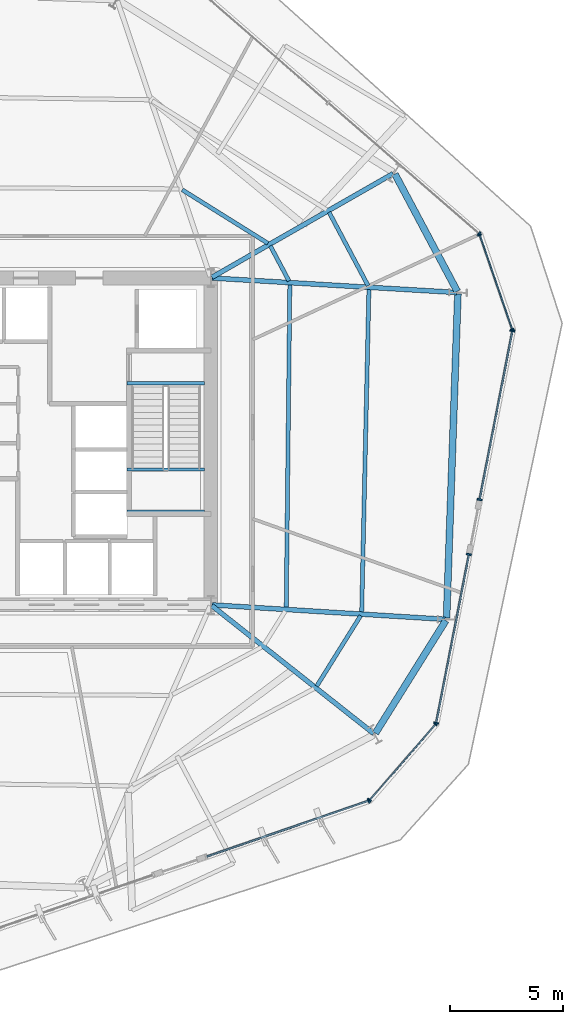
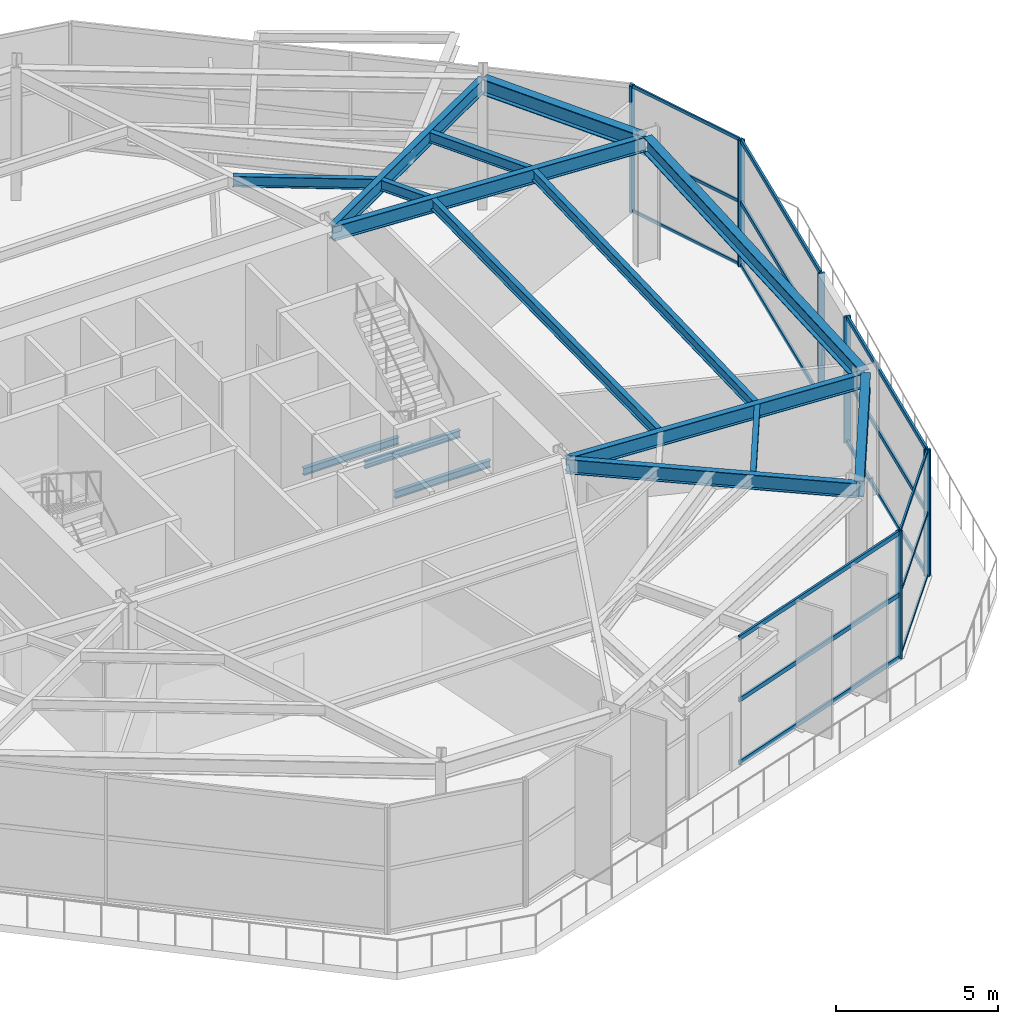
# One storey, part 5 of 16: 25 members, 16 beams, 6 elements without a shape of their own.
"""IFC4 building model written with IfcOpenShell, lengths in metres."""

from ifc_helpers import new_model, si_unit, direction, frame, origin, origin_2d, place, context, subcontext, project, spatial, rectangle, i_section, extrude, material, layer, layer_set, material_profile, profile_set, type_object, element, aggregate, save


model = new_model("IFC4")

# Units and contexts
model_context = context("Model", 3, precision=1e-05, world=origin(), true_north=direction((0.0, 1.0)))
body_context = subcontext(model_context, "Body", "Model", "MODEL_VIEW")
ifc_project = project(units=[si_unit("LENGTHUNIT", "METRE"), si_unit("AREAUNIT", "SQUARE_METRE"), si_unit("VOLUMEUNIT", "CUBIC_METRE"), si_unit("PLANEANGLEUNIT", "RADIAN"), si_unit("MASSUNIT", "GRAM", prefix="KILO")], contexts=[model_context])

# Site, building, storey
site_placement = place(None, origin())
site = spatial("IfcSite", under=ifc_project, at=site_placement, CompositionType="ELEMENT")
building_placement = place(site_placement, origin())
building = spatial("IfcBuilding", under=site, at=building_placement, Name="Kranzbogen Civic Tower", CompositionType="ELEMENT")
storey_placement = place(building_placement, frame((0.0, 0.0, 97.39990234375)))
storey = spatial("IfcBuildingStorey", under=building, at=storey_placement, Name="L23", CompositionType="ELEMENT", Elevation=97.39990234375)

# Curtain wall, members
ifc_material_1 = material(Name="Pale Anodised Aluminium", Category="aluminium")
ifc_layer_1 = layer(ifc_material_1, 0.219970703125, Name="Pale Anodised Aluminium")
ifc_layer_set_1 = layer_set([ifc_layer_1], Name="Pale Anodised Aluminium")
curtain_wall_type_1 = type_object("IfcCurtainWallType", Name="Chamfer Facet Stick Curtain Wall System CW-06", PredefinedType="USERDEFINED", material=ifc_layer_set_1)
curtain_wall_1_placement = place(storey_placement, origin())
curtain_wall_1 = element("IfcCurtainWall", 1, at=curtain_wall_1_placement, inside=storey, type_object=curtain_wall_type_1, Name="L23 curtain wall CW-L23-C5", ObjectType="STICK CURTAIN WALL", PredefinedType="USERDEFINED")
ifc_material_profile_1 = material_profile(ifc_material_1, rectangle(XDim=0.06005859375, YDim=0.159912109375, at=origin_2d()), Name="ALU-M 60x160")
ifc_profile_set_1 = profile_set([ifc_material_profile_1], Name="Pale Anodised Aluminium")
member_type_1 = type_object("IfcMemberType", Name="Curtain Wall Mullion ALU-M 60x160", PredefinedType="MULLION", material=ifc_profile_set_1)
member_1_placement = place(storey_placement, frame((39.8095703125, 9.20361328125, 0.0), z_axis=(0.0, 0.0, 1.0), x_axis=(0.656062411201, 0.754706640099, 0.0)))
member_1 = element("IfcMember", 2, at=member_1_placement, type_object=member_type_1, Name="CW-06 mullion 1", PredefinedType="MULLION", context=body_context, shape_type="SweptSolid", body=[
    extrude(rectangle(XDim=0.06005859375, YDim=0.159912109375, at=origin_2d()), origin(), (0.0, 0.0, 1.0), 4.760009765625),
])
member_2_placement = place(storey_placement, frame((42.703369140625, 12.532470703125, 0.0), z_axis=(0.0, 0.0, 1.0), x_axis=(0.656062411201, 0.754706640099, 0.0)))
member_2 = element("IfcMember", 3, at=member_2_placement, type_object=member_type_1, Name="CW-06 mullion 2", PredefinedType="MULLION", context=body_context, shape_type="SweptSolid", body=[
    extrude(rectangle(XDim=0.06005859375, YDim=0.159912109375, at=origin_2d()), origin(), (0.0, 0.0, 1.0), 4.760009765625),
])

curtain_wall_2_placement = place(storey_placement, origin())
curtain_wall_2 = element("IfcCurtainWall", 4, at=curtain_wall_2_placement, inside=storey, type_object=curtain_wall_type_1, Name="L23 curtain wall CW-L23-C6", ObjectType="STICK CURTAIN WALL", PredefinedType="USERDEFINED")
member_3_placement = place(storey_placement, frame((46.085205078125, 29.92724609375, 0.0), z_axis=(0.0, 0.0, 1.0), x_axis=(-0.325604710902, 0.945505987415, 0.0)))
member_3 = element("IfcMember", 5, at=member_3_placement, type_object=member_type_1, Name="CW-06 mullion 1", PredefinedType="MULLION", context=body_context, shape_type="SweptSolid", body=[
    extrude(rectangle(XDim=0.06005859375, YDim=0.159912109375, at=origin_2d()), origin(), (0.0, 0.0, 1.0), 4.760009765625),
])
member_4_placement = place(storey_placement, frame((44.648681640625, 34.0986328125, 0.0), z_axis=(0.0, 0.0, 1.0), x_axis=(-0.325604710902, 0.945505987415, 0.0)))
member_4 = element("IfcMember", 6, at=member_4_placement, type_object=member_type_1, Name="CW-06 mullion 2", PredefinedType="MULLION", context=body_context, shape_type="SweptSolid", body=[
    extrude(rectangle(XDim=0.06005859375, YDim=0.159912109375, at=origin_2d()), origin(), (0.0, 0.0, 1.0), 4.760009765625),
])

# Curtain wall, member
ifc_layer_2 = layer(ifc_material_1, 0.219970703125, Name="Pale Anodised Aluminium")
ifc_layer_set_2 = layer_set([ifc_layer_2], Name="Pale Anodised Aluminium")
curtain_wall_type_2 = type_object("IfcCurtainWallType", Name="Zone 2 Stick Curtain Wall System CW-03", PredefinedType="USERDEFINED", material=ifc_layer_set_2)
curtain_wall_3_placement = place(storey_placement, origin())
curtain_wall_3 = element("IfcCurtainWall", 7, at=curtain_wall_3_placement, inside=storey, type_object=curtain_wall_type_2, Name="L23 curtain wall CW-L23-F1", ObjectType="STICK CURTAIN WALL", PredefinedType="USERDEFINED")
ifc_material_profile_2 = material_profile(ifc_material_1, rectangle(XDim=0.074951171875, YDim=0.219970703125, at=origin_2d()), Name="ALU-M 75x220")
ifc_profile_set_2 = profile_set([ifc_material_profile_2], Name="Pale Anodised Aluminium")
member_type_2 = type_object("IfcMemberType", Name="Curtain Wall Mullion ALU-M 75x220", PredefinedType="MULLION", material=ifc_profile_set_2)
member_5_placement = place(storey_placement, frame((44.616455078125, 34.146728515625, 0.0), z_axis=(0.0, 0.0, 1.0), x_axis=(-0.754735883979, 0.656028768755, 0.0)))
member_5 = element("IfcMember", 8, at=member_5_placement, type_object=member_type_2, Name="CW-03 mullion 1", PredefinedType="MULLION", context=body_context, shape_type="SweptSolid", body=[
    extrude(rectangle(XDim=0.074951171875, YDim=0.219970703125, at=origin_2d()), origin(), (0.0, 0.0, 1.0), 4.760009765625),
])
aggregate(curtain_wall_3, [member_5])

curtain_wall_4_placement = place(storey_placement, origin())
curtain_wall_4 = element("IfcCurtainWall", 9, at=curtain_wall_4_placement, inside=storey, type_object=curtain_wall_type_2, Name="L23 curtain wall CW-L23-F5-S2", ObjectType="STICK CURTAIN WALL", PredefinedType="USERDEFINED")
member_6_placement = place(storey_placement, frame((39.76171875, 9.171142578125, 0.0), z_axis=(0.0, 0.0, 1.0), x_axis=(0.945506521479, 0.325603160059, 0.0)))
member_6 = element("IfcMember", 10, at=member_6_placement, type_object=member_type_2, Name="CW-03 mullion 2", PredefinedType="MULLION", context=body_context, shape_type="SweptSolid", body=[
    extrude(rectangle(XDim=0.074951171875, YDim=0.219970703125, at=origin_2d()), origin(), (0.0, 0.0, 1.0), 4.760009765625),
])

# Curtain wall, members
curtain_wall_5_placement = place(storey_placement, origin())
curtain_wall_5 = element("IfcCurtainWall", 11, at=curtain_wall_5_placement, inside=storey, type_object=curtain_wall_type_2, Name="L23 curtain wall CW-L23-F6-S1", ObjectType="STICK CURTAIN WALL", PredefinedType="USERDEFINED")
member_7_placement = place(storey_placement, frame((42.728759765625, 12.58447265625, 0.0), z_axis=(0.0, 0.0, 1.0), x_axis=(0.190848623157, 0.981619479757, 0.0)))
member_7 = element("IfcMember", 12, at=member_7_placement, type_object=member_type_2, Name="CW-03 mullion 1", PredefinedType="MULLION", context=body_context, shape_type="SweptSolid", body=[
    extrude(rectangle(XDim=0.074951171875, YDim=0.219970703125, at=origin_2d()), origin(), (0.0, 0.0, 1.0), 4.760009765625),
])
member_8_placement = place(storey_placement, frame((44.17431640625, 20.01953125, 0.0), z_axis=(0.0, 0.0, 1.0), x_axis=(0.190848623157, 0.981619479757, 0.0)))
member_8 = element("IfcMember", 13, at=member_8_placement, type_object=member_type_2, Name="CW-03 mullion 2", PredefinedType="MULLION", context=body_context, shape_type="SweptSolid", body=[
    extrude(rectangle(XDim=0.074951171875, YDim=0.219970703125, at=origin_2d()), origin(), (0.0, 0.0, 1.0), 4.760009765625),
])

curtain_wall_6_placement = place(storey_placement, origin())
curtain_wall_6 = element("IfcCurtainWall", 14, at=curtain_wall_6_placement, inside=storey, type_object=curtain_wall_type_2, Name="L23 curtain wall CW-L23-F6-S2", ObjectType="STICK CURTAIN WALL", PredefinedType="USERDEFINED")
member_9_placement = place(storey_placement, frame((44.643798828125, 22.4345703125, 0.0), z_axis=(0.0, 0.0, 1.0), x_axis=(0.190848623157, 0.981619479757, 0.0)))
member_9 = element("IfcMember", 15, at=member_9_placement, type_object=member_type_2, Name="CW-03 mullion 1", PredefinedType="MULLION", context=body_context, shape_type="SweptSolid", body=[
    extrude(rectangle(XDim=0.074951171875, YDim=0.219970703125, at=origin_2d()), origin(), (0.0, 0.0, 1.0), 4.760009765625),
])
member_10_placement = place(storey_placement, frame((46.08935546875, 29.86962890625, 0.0), z_axis=(0.0, 0.0, 1.0), x_axis=(0.190848623157, 0.981619479757, 0.0)))
member_10 = element("IfcMember", 16, at=member_10_placement, type_object=member_type_2, Name="CW-03 mullion 2", PredefinedType="MULLION", context=body_context, shape_type="SweptSolid", body=[
    extrude(rectangle(XDim=0.074951171875, YDim=0.219970703125, at=origin_2d()), origin(), (0.0, 0.0, 1.0), 4.760009765625),
])

# Member
ifc_material_profile_3 = material_profile(ifc_material_1, rectangle(XDim=0.06005859375, YDim=0.1201171875, at=origin_2d()), Name="ALU-T 60x120")
ifc_profile_set_3 = profile_set([ifc_material_profile_3], Name="Pale Anodised Aluminium")
member_type_3 = type_object("IfcMemberType", Name="Curtain Wall Transom ALU-T 60x120", PredefinedType="USERDEFINED", material=ifc_profile_set_3)
member_11_placement = place(storey_placement, frame((39.829345703125, 9.226318359375, 0.030029296875), z_axis=(0.656057835583, 0.754710617634, 0.0), x_axis=(-0.754710617634, 0.656057835583, 0.0)))
member_11 = element("IfcMember", 17, at=member_11_placement, type_object=member_type_3, Name="CW-06 transom 1.1", ObjectType="TRANSOM", PredefinedType="USERDEFINED", context=body_context, shape_type="SweptSolid", body=[
    extrude(rectangle(XDim=0.06005859375, YDim=0.1201171875, at=origin_2d()), origin(), (0.0, 0.0, 1.0), 4.3505859375),
])

member_12_placement = place(storey_placement, frame((39.829345703125, 9.226318359375, 2.400146484375), z_axis=(0.656057835583, 0.754710617634, 0.0), x_axis=(-0.754710617634, 0.656057835583, 0.0)))
member_12 = element("IfcMember", 18, at=member_12_placement, type_object=member_type_3, Name="CW-06 transom 1.2", ObjectType="TRANSOM", PredefinedType="USERDEFINED", context=body_context, shape_type="SweptSolid", body=[
    extrude(rectangle(XDim=0.06005859375, YDim=0.1201171875, at=origin_2d()), origin(), (0.0, 0.0, 1.0), 4.3505859375),
])

member_13_placement = place(storey_placement, frame((39.829345703125, 9.226318359375, 4.72998046875), z_axis=(0.656057835583, 0.754710617634, 0.0), x_axis=(-0.754710617634, 0.656057835583, 0.0)))
member_13 = element("IfcMember", 19, at=member_13_placement, type_object=member_type_3, Name="CW-06 transom 1.3", ObjectType="TRANSOM", PredefinedType="USERDEFINED", context=body_context, shape_type="SweptSolid", body=[
    extrude(rectangle(XDim=0.06005859375, YDim=0.1201171875, at=origin_2d()), origin(), (0.0, 0.0, 1.0), 4.3505859375),
])

aggregate(curtain_wall_1, [member_1, member_2, member_11, member_12, member_13])

member_14_placement = place(storey_placement, frame((46.075439453125, 29.955810546875, 0.030029296875), z_axis=(-0.325620654122, 0.945500496885, 0.0), x_axis=(-0.945500496885, -0.325620654122, 0.0)))
member_14 = element("IfcMember", 20, at=member_14_placement, type_object=member_type_3, Name="CW-06 transom 1.1", ObjectType="TRANSOM", PredefinedType="USERDEFINED", context=body_context, shape_type="SweptSolid", body=[
    extrude(rectangle(XDim=0.06005859375, YDim=0.1201171875, at=origin_2d()), origin(), (0.0, 0.0, 1.0), 4.3515625),
])

member_15_placement = place(storey_placement, frame((46.075439453125, 29.955810546875, 2.400146484375), z_axis=(-0.325620654122, 0.945500496885, 0.0), x_axis=(-0.945500496885, -0.325620654122, 0.0)))
member_15 = element("IfcMember", 21, at=member_15_placement, type_object=member_type_3, Name="CW-06 transom 1.2", ObjectType="TRANSOM", PredefinedType="USERDEFINED", context=body_context, shape_type="SweptSolid", body=[
    extrude(rectangle(XDim=0.06005859375, YDim=0.1201171875, at=origin_2d()), origin(), (0.0, 0.0, 1.0), 4.3515625),
])

member_16_placement = place(storey_placement, frame((46.075439453125, 29.955810546875, 4.72998046875), z_axis=(-0.325620654122, 0.945500496885, 0.0), x_axis=(-0.945500496885, -0.325620654122, 0.0)))
member_16 = element("IfcMember", 22, at=member_16_placement, type_object=member_type_3, Name="CW-06 transom 1.3", ObjectType="TRANSOM", PredefinedType="USERDEFINED", context=body_context, shape_type="SweptSolid", body=[
    extrude(rectangle(XDim=0.06005859375, YDim=0.1201171875, at=origin_2d()), origin(), (0.0, 0.0, 1.0), 4.3515625),
])

aggregate(curtain_wall_2, [member_3, member_4, member_14, member_15, member_16])

ifc_material_profile_4 = material_profile(ifc_material_1, rectangle(XDim=0.074951171875, YDim=0.1650390625, at=origin_2d()), Name="ALU-T 75x165")
ifc_profile_set_4 = profile_set([ifc_material_profile_4], Name="Pale Anodised Aluminium")
member_type_4 = type_object("IfcMemberType", Name="Curtain Wall Transom ALU-T 75x165", PredefinedType="USERDEFINED", material=ifc_profile_set_4)
member_17_placement = place(storey_placement, frame((32.627685546875, 6.714599609375, 0.030029296875), z_axis=(0.945511683544, 0.325588169752, 0.0), x_axis=(-0.325588169752, 0.945511683544, 0.0)))
member_17 = element("IfcMember", 23, at=member_17_placement, type_object=member_type_4, Name="CW-03 transom 1.1", ObjectType="TRANSOM", PredefinedType="USERDEFINED", context=body_context, shape_type="SweptSolid", body=[
    extrude(rectangle(XDim=0.074951171875, YDim=0.1650390625, at=origin_2d()), origin(), (0.0, 0.0, 1.0), 7.514892578125),
])

member_18_placement = place(storey_placement, frame((32.627685546875, 6.714599609375, 2.400146484375), z_axis=(0.945511683544, 0.325588169752, 0.0), x_axis=(-0.325588169752, 0.945511683544, 0.0)))
member_18 = element("IfcMember", 24, at=member_18_placement, type_object=member_type_4, Name="CW-03 transom 1.2", ObjectType="TRANSOM", PredefinedType="USERDEFINED", context=body_context, shape_type="SweptSolid", body=[
    extrude(rectangle(XDim=0.074951171875, YDim=0.1650390625, at=origin_2d()), origin(), (0.0, 0.0, 1.0), 7.514892578125),
])

member_19_placement = place(storey_placement, frame((32.627685546875, 6.714599609375, 4.72998046875), z_axis=(0.945511683544, 0.325588169752, 0.0), x_axis=(-0.325588169752, 0.945511683544, 0.0)))
member_19 = element("IfcMember", 25, at=member_19_placement, type_object=member_type_4, Name="CW-03 transom 1.3", ObjectType="TRANSOM", PredefinedType="USERDEFINED", context=body_context, shape_type="SweptSolid", body=[
    extrude(rectangle(XDim=0.074951171875, YDim=0.1650390625, at=origin_2d()), origin(), (0.0, 0.0, 1.0), 7.514892578125),
])

aggregate(curtain_wall_4, [member_6, member_17, member_18, member_19])

member_20_placement = place(storey_placement, frame((42.734375, 12.614013671875, 0.030029296875), z_axis=(0.190852266109, 0.98161877148, 0.0), x_axis=(-0.98161877148, 0.190852266109, 0.0)))
member_20 = element("IfcMember", 26, at=member_20_placement, type_object=member_type_4, Name="CW-03 transom 1.1", ObjectType="TRANSOM", PredefinedType="USERDEFINED", context=body_context, shape_type="SweptSolid", body=[
    extrude(rectangle(XDim=0.074951171875, YDim=0.1650390625, at=origin_2d()), origin(), (0.0, 0.0, 1.0), 7.51416015625),
])

member_21_placement = place(storey_placement, frame((42.734375, 12.614013671875, 2.400146484375), z_axis=(0.190852266109, 0.98161877148, 0.0), x_axis=(-0.98161877148, 0.190852266109, 0.0)))
member_21 = element("IfcMember", 27, at=member_21_placement, type_object=member_type_4, Name="CW-03 transom 1.2", ObjectType="TRANSOM", PredefinedType="USERDEFINED", context=body_context, shape_type="SweptSolid", body=[
    extrude(rectangle(XDim=0.074951171875, YDim=0.1650390625, at=origin_2d()), origin(), (0.0, 0.0, 1.0), 7.51416015625),
])

member_22_placement = place(storey_placement, frame((42.734375, 12.614013671875, 4.72998046875), z_axis=(0.190852266109, 0.98161877148, 0.0), x_axis=(-0.98161877148, 0.190852266109, 0.0)))
member_22 = element("IfcMember", 28, at=member_22_placement, type_object=member_type_4, Name="CW-03 transom 1.3", ObjectType="TRANSOM", PredefinedType="USERDEFINED", context=body_context, shape_type="SweptSolid", body=[
    extrude(rectangle(XDim=0.074951171875, YDim=0.1650390625, at=origin_2d()), origin(), (0.0, 0.0, 1.0), 7.51416015625),
])

aggregate(curtain_wall_5, [member_7, member_8, member_20, member_21, member_22])

member_23_placement = place(storey_placement, frame((44.6494140625, 22.4638671875, 0.030029296875), z_axis=(0.190846179295, 0.981619954895, 0.0), x_axis=(-0.981619954895, 0.190846179295, 0.0)))
member_23 = element("IfcMember", 29, at=member_23_placement, type_object=member_type_4, Name="CW-03 transom 1.1", ObjectType="TRANSOM", PredefinedType="USERDEFINED", context=body_context, shape_type="SweptSolid", body=[
    extrude(rectangle(XDim=0.074951171875, YDim=0.1650390625, at=origin_2d()), origin(), (0.0, 0.0, 1.0), 7.514404296875),
])

member_24_placement = place(storey_placement, frame((44.6494140625, 22.4638671875, 2.400146484375), z_axis=(0.190846179295, 0.981619954895, 0.0), x_axis=(-0.981619954895, 0.190846179295, 0.0)))
member_24 = element("IfcMember", 30, at=member_24_placement, type_object=member_type_4, Name="CW-03 transom 1.2", ObjectType="TRANSOM", PredefinedType="USERDEFINED", context=body_context, shape_type="SweptSolid", body=[
    extrude(rectangle(XDim=0.074951171875, YDim=0.1650390625, at=origin_2d()), origin(), (0.0, 0.0, 1.0), 7.514404296875),
])

member_25_placement = place(storey_placement, frame((44.6494140625, 22.4638671875, 4.72998046875), z_axis=(0.190846179295, 0.981619954895, 0.0), x_axis=(-0.981619954895, 0.190846179295, 0.0)))
member_25 = element("IfcMember", 31, at=member_25_placement, type_object=member_type_4, Name="CW-03 transom 1.3", ObjectType="TRANSOM", PredefinedType="USERDEFINED", context=body_context, shape_type="SweptSolid", body=[
    extrude(rectangle(XDim=0.074951171875, YDim=0.1650390625, at=origin_2d()), origin(), (0.0, 0.0, 1.0), 7.514404296875),
])

aggregate(curtain_wall_6, [member_9, member_10, member_23, member_24, member_25])

# Beams
ifc_material_2 = material(Name="Steel S355", Category="steel")
ifc_material_profile_5 = material_profile(ifc_material_2, i_section(OverallWidth=0.300048828125, OverallDepth=0.60009765625, WebThickness=0.015380859375, FlangeThickness=0.030029296875, at=origin_2d()), Name="HEB 600")
ifc_profile_set_5 = profile_set([ifc_material_profile_5], Name="Steel S355")
beam_type_1 = type_object("IfcBeamType", Name="Perimeter Tube Spandrel Beam HEB 600", PredefinedType="SPANDREL", material=ifc_profile_set_5)
beam_1_placement = place(storey_placement, frame((40.054931640625, 12.14306640625, 4.460205078125), z_axis=(0.529863902903, 0.848082687242, 0.0), x_axis=(-0.848082687242, 0.529863902903, 0.0)))
element("IfcBeam", 32, at=beam_1_placement, inside=storey, type_object=beam_type_1, Name="L23 perimeter spandrel beam 05", PredefinedType="SPANDREL", context=body_context, shape_type="SweptSolid", body=[
    extrude(i_section(OverallWidth=0.300048828125, OverallDepth=0.60009765625, WebThickness=0.015380859375, FlangeThickness=0.030029296875, at=origin_2d()), origin(), (0.0, 0.0, 1.0), 5.850830078125),
])
beam_2_placement = place(storey_placement, frame((43.18896484375, 17.216064453125, 4.460205078125), z_axis=(0.034924229103, 0.999389963038, 0.0), x_axis=(-0.999389963038, 0.034924229103, 0.0)))
element("IfcBeam", 33, at=beam_2_placement, inside=storey, type_object=beam_type_1, Name="L23 perimeter spandrel beam 06", PredefinedType="SPANDREL", context=body_context, shape_type="SweptSolid", body=[
    extrude(i_section(OverallWidth=0.300048828125, OverallDepth=0.60009765625, WebThickness=0.015380859375, FlangeThickness=0.030029296875, at=origin_2d()), origin(), (0.0, 0.0, 1.0), 14.288818359375),
])
beam_3_placement = place(storey_placement, frame((43.662109375, 31.60888671875, 4.460205078125), z_axis=(-0.469565926668, 0.882897412224, 0.0), x_axis=(-0.882897412224, -0.469565926668, 0.0)))
element("IfcBeam", 34, at=beam_3_placement, inside=storey, type_object=beam_type_1, Name="L23 perimeter spandrel beam 07", PredefinedType="SPANDREL", context=body_context, shape_type="SweptSolid", body=[
    extrude(i_section(OverallWidth=0.300048828125, OverallDepth=0.60009765625, WebThickness=0.015380859375, FlangeThickness=0.030029296875, at=origin_2d()), origin(), (0.0, 0.0, 1.0), 5.852294921875),
])
ifc_material_profile_6 = material_profile(ifc_material_2, i_section(OverallWidth=0.2099609375, OverallDepth=0.550048828125, WebThickness=0.010986328125, FlangeThickness=0.01708984375, at=origin_2d()), Name="IPE 550")
ifc_profile_set_6 = profile_set([ifc_material_profile_6], Name="Steel S355")
beam_type_2 = type_object("IfcBeamType", Name="Radial Tower Floor Girder IPE 550", PredefinedType="BEAM", material=ifc_profile_set_6)
beam_4_placement = place(storey_placement, frame((39.97607421875, 12.12890625, 4.485107421875), z_axis=(-0.78457455683, 0.620034486763, 0.0), x_axis=(-0.620034486763, -0.78457455683, 0.0)))
element("IfcBeam", 35, at=beam_4_placement, inside=storey, type_object=beam_type_2, Name="L23 radial floor girder 05", PredefinedType="BEAM", context=body_context, shape_type="SweptSolid", body=[
    extrude(i_section(OverallWidth=0.2099609375, OverallDepth=0.550048828125, WebThickness=0.010986328125, FlangeThickness=0.01708984375, at=origin_2d()), origin(), (0.0, 0.0, 1.0), 9.086669921875),
])
beam_5_placement = place(storey_placement, frame((43.126953125, 17.159912109375, 4.485107421875), z_axis=(-0.998086872961, 0.061827130147, 0.0), x_axis=(-0.061827130147, -0.998086872961, 0.0)))
element("IfcBeam", 36, at=beam_5_placement, inside=storey, type_object=beam_type_2, Name="L23 radial floor girder 06", PredefinedType="BEAM", context=body_context, shape_type="SweptSolid", body=[
    extrude(i_section(OverallWidth=0.2099609375, OverallDepth=0.550048828125, WebThickness=0.010986328125, FlangeThickness=0.01708984375, at=origin_2d()), origin(), (0.0, 0.0, 1.0), 10.28662109375),
])
beam_6_placement = place(storey_placement, frame((43.6298828125, 31.56005859375, 4.485107421875), z_axis=(-0.998260925387, 0.058950189528, 0.0), x_axis=(-0.058950189528, -0.998260925387, 0.0)))
element("IfcBeam", 37, at=beam_6_placement, inside=storey, type_object=beam_type_2, Name="L23 radial floor girder 07", PredefinedType="BEAM", context=body_context, shape_type="SweptSolid", body=[
    extrude(i_section(OverallWidth=0.2099609375, OverallDepth=0.550048828125, WebThickness=0.010986328125, FlangeThickness=0.01708984375, at=origin_2d()), origin(), (0.0, 0.0, 1.0), 10.78857421875),
])
beam_7_placement = place(storey_placement, frame((40.833984375, 36.799072265625, 4.485107421875), z_axis=(-0.867868812182, -0.496793442833, 0.0), x_axis=(0.496793442833, -0.867868812182, 0.0)))
element("IfcBeam", 38, at=beam_7_placement, inside=storey, type_object=beam_type_2, Name="L23 radial floor girder 08", PredefinedType="BEAM", context=body_context, shape_type="SweptSolid", body=[
    extrude(i_section(OverallWidth=0.2099609375, OverallDepth=0.550048828125, WebThickness=0.010986328125, FlangeThickness=0.01708984375, at=origin_2d()), origin(), (0.0, 0.0, 1.0), 9.197265625),
])
ifc_material_profile_7 = material_profile(ifc_material_2, i_section(OverallWidth=0.179931640625, OverallDepth=0.39990234375, WebThickness=0.008544921875, FlangeThickness=0.013427734375, at=origin_2d()), Name="IPE 400")
ifc_profile_set_7 = profile_set([ifc_material_profile_7], Name="Steel S355")
beam_type_3 = type_object("IfcBeamType", Name="Secondary Composite Floor Joist IPE 400", PredefinedType="JOIST", material=ifc_profile_set_7)
beam_8_placement = place(storey_placement, frame((37.465087890625, 14.215087890625, 4.56005859375), z_axis=(0.529867065107, 0.848080711557, 0.0), x_axis=(-0.848080711557, 0.529867065107, 0.0)))
element("IfcBeam", 39, at=beam_8_placement, inside=storey, type_object=beam_type_3, Name="L23 secondary floor joist 1.05", PredefinedType="JOIST", context=body_context, shape_type="SweptSolid", body=[
    extrude(i_section(OverallWidth=0.179931640625, OverallDepth=0.39990234375, WebThickness=0.008544921875, FlangeThickness=0.013427734375, at=origin_2d()), origin(), (0.0, 0.0, 1.0), 3.6611328125),
])
beam_9_placement = place(storey_placement, frame((39.448974609375, 17.468017578125, 4.56005859375), z_axis=(0.022402523442, 0.999749031979, 0.0), x_axis=(-0.999749031979, 0.022402523442, 0.0)))
element("IfcBeam", 40, at=beam_9_placement, inside=storey, type_object=beam_type_3, Name="L23 secondary floor joist 1.06", PredefinedType="JOIST", context=body_context, shape_type="SweptSolid", body=[
    extrude(i_section(OverallWidth=0.179931640625, OverallDepth=0.39990234375, WebThickness=0.008544921875, FlangeThickness=0.013427734375, at=origin_2d()), origin(), (0.0, 0.0, 1.0), 14.24365234375),
])
beam_10_placement = place(storey_placement, frame((36.125, 17.674072265625, 4.56005859375), z_axis=(0.011160516663, 0.999937719494, 0.0), x_axis=(-0.999937719494, 0.011160516663, 0.0)))
element("IfcBeam", 41, at=beam_10_placement, inside=storey, type_object=beam_type_3, Name="L23 secondary floor joist 2.06", PredefinedType="JOIST", context=body_context, shape_type="SweptSolid", body=[
    extrude(i_section(OverallWidth=0.179931640625, OverallDepth=0.39990234375, WebThickness=0.008544921875, FlangeThickness=0.013427734375, at=origin_2d()), origin(), (0.0, 0.0, 1.0), 14.240966796875),
])
beam_11_placement = place(storey_placement, frame((39.73193359375, 31.85791015625, 4.56005859375), z_axis=(-0.469338791783, 0.88301817565, 0.0), x_axis=(-0.88301817565, -0.469338791783, 0.0)))
element("IfcBeam", 42, at=beam_11_placement, inside=storey, type_object=beam_type_3, Name="L23 secondary floor joist 1.07", PredefinedType="JOIST", context=body_context, shape_type="SweptSolid", body=[
    extrude(i_section(OverallWidth=0.179931640625, OverallDepth=0.39990234375, WebThickness=0.008544921875, FlangeThickness=0.013427734375, at=origin_2d()), origin(), (0.0, 0.0, 1.0), 3.66259765625),
])
beam_12_placement = place(storey_placement, frame((36.2470703125, 32.06494140625, 4.56005859375), z_axis=(-0.46943723363, 0.882965845139, 0.0), x_axis=(-0.882965845139, -0.46943723363, 0.0)))
element("IfcBeam", 43, at=beam_12_placement, inside=storey, type_object=beam_type_3, Name="L23 secondary floor joist 2.07", PredefinedType="JOIST", context=body_context, shape_type="SweptSolid", body=[
    extrude(i_section(OverallWidth=0.179931640625, OverallDepth=0.39990234375, WebThickness=0.008544921875, FlangeThickness=0.013427734375, at=origin_2d()), origin(), (0.0, 0.0, 1.0), 1.7509765625),
])
beam_13_placement = place(storey_placement, frame((35.320068359375, 33.72412109375, 4.56005859375), z_axis=(-0.848093834398, 0.529846060716, 0.0), x_axis=(-0.529846060716, -0.848093834398, 0.0)))
element("IfcBeam", 44, at=beam_13_placement, inside=storey, type_object=beam_type_3, Name="L23 secondary floor joist 2.08", PredefinedType="JOIST", context=body_context, shape_type="SweptSolid", body=[
    extrude(i_section(OverallWidth=0.179931640625, OverallDepth=0.39990234375, WebThickness=0.008544921875, FlangeThickness=0.013427734375, at=origin_2d()), origin(), (0.0, 0.0, 1.0), 4.4501953125),
])
ifc_material_profile_8 = material_profile(ifc_material_2, i_section(OverallWidth=0.135009765625, OverallDepth=0.27001953125, WebThickness=0.006591796875, FlangeThickness=0.01025390625, at=origin_2d()), Name="IPE 270")
ifc_profile_set_8 = profile_set([ifc_material_profile_8], Name="Steel S355")
beam_type_4 = type_object("IfcBeamType", Name="Stair Landing Support Beam IPE 270", PredefinedType="JOIST", material=ifc_profile_set_8)
for number, where, z_axis, x_axis, name in (
    (45, (29.1201171875, 27.56005859375, -0.39501953125), (1.0, 0.0, 0.0), (0.0, 1.0, 0.0), "L23 ST-T2 stair floor header beam"),
    (46, (29.1201171875, 23.760009765625, 2.1650390625), (1.0, 0.0, 0.0), (0.0, 1.0, 0.0), "L23 ST-T2 landing support beam 1.1"),
    (47, (29.1201171875, 21.89990234375, 2.1650390625), (1.0, 0.0, 0.0), (0.0, 1.0, 0.0), "L23 ST-T2 landing support beam 1.2"),
):
    element("IfcBeam", number, at=place(storey_placement, frame(where, z_axis=z_axis, x_axis=x_axis)), inside=storey, type_object=beam_type_4, Name=name, PredefinedType="JOIST", context=body_context, shape_type="SweptSolid", body=[
        extrude(i_section(OverallWidth=0.135009765625, OverallDepth=0.27001953125, WebThickness=0.006591796875, FlangeThickness=0.01025390625, at=origin_2d()), origin(), (0.0, 0.0, 1.0), 3.409912109375),
    ])

save(model, "model.ifc")
